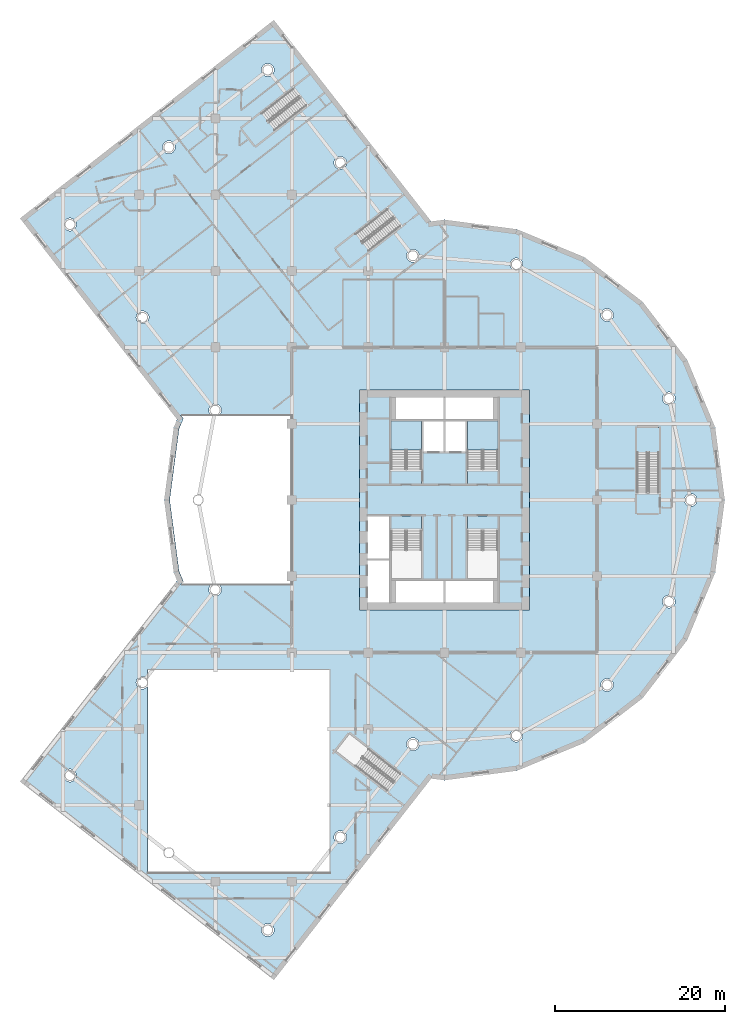
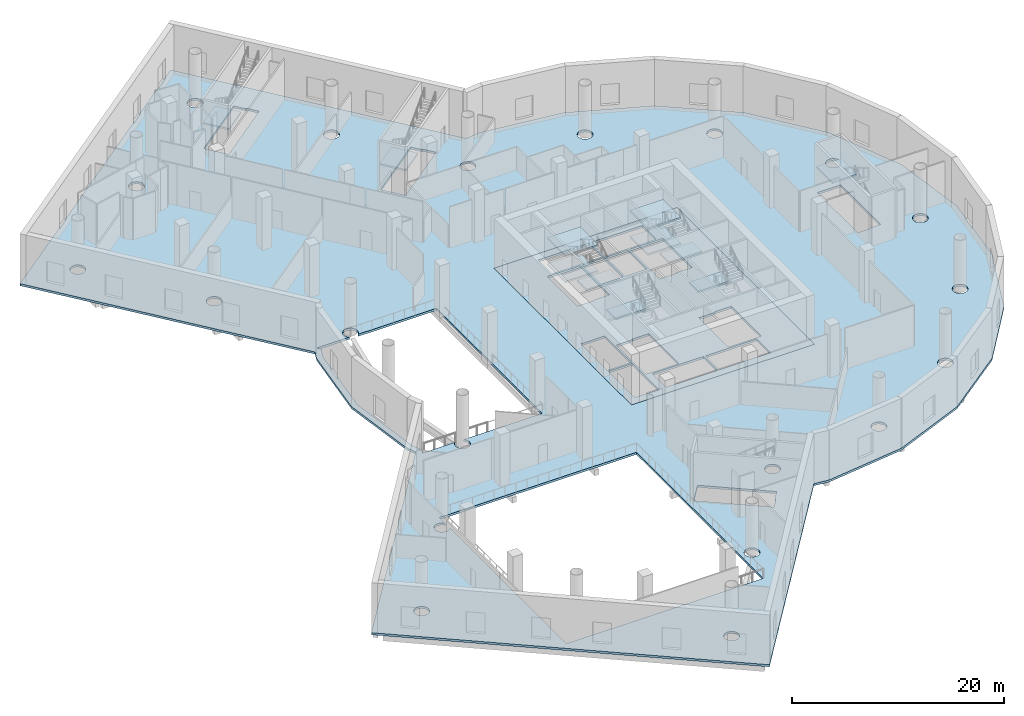
# One storey, part 3 of 24: 13 slabs, 7 elements without a shape of their own.
"""IFC4 building model written with IfcOpenShell, lengths in metres."""

from ifc_helpers import new_model, si_unit, direction, frame, origin, place, context, subcontext, project, spatial, polyline, outline, extrude, material, layer, layer_set, type_object, element, aggregate, save


model = new_model("IFC4")

# Units and contexts
model_context = context("Model", 3, precision=1e-05, world=origin(), true_north=direction((0.0, 1.0)))
body_context = subcontext(model_context, "Body", "Model", "MODEL_VIEW")
ifc_project = project(units=[si_unit("LENGTHUNIT", "METRE"), si_unit("AREAUNIT", "SQUARE_METRE"), si_unit("VOLUMEUNIT", "CUBIC_METRE"), si_unit("PLANEANGLEUNIT", "RADIAN"), si_unit("MASSUNIT", "GRAM", prefix="KILO")], contexts=[model_context])

# Site, building, storey
site_placement = place(None, origin())
site = spatial("IfcSite", under=ifc_project, at=site_placement, CompositionType="ELEMENT")
building_placement = place(site_placement, origin())
building = spatial("IfcBuilding", under=site, at=building_placement, Name="Tarsis Ring Headquarters", CompositionType="ELEMENT")
storey_placement = place(building_placement, frame((0.0, 0.0, 8.0)))
storey = spatial("IfcBuildingStorey", under=building, at=storey_placement, Name="L01", CompositionType="ELEMENT", Elevation=8.0)

# Slab
ifc_material_1 = material(Name="Concrete C40/50", Category="concrete")
ifc_layer_1 = layer(ifc_material_1, 0.25)
ifc_layer_set_1 = layer_set([ifc_layer_1], Name="Core floor slab 250 C40/50")
slab_type_1 = type_object("IfcSlabType", Name="Core floor slab 250 C40/50", PredefinedType="FLOOR", material=ifc_layer_set_1)
slab_1_placement = place(storey_placement, frame((0.0, 0.0, -0.25)))
element("IfcSlab", 1, at=slab_1_placement, inside=storey, type_object=slab_type_1, Name="L01 core floor slab", PredefinedType="FLOOR", context=body_context, shape_type="SweptSolid", body=[
    extrude(outline(polyline([(-10.0, -13.0), (10.0, -13.0), (10.0, 13.0), (-10.0, 13.0), (-10.0, -13.0)]), holes=[polyline([(-2.5, 5.699951171875), (-0.10009765625, 5.699951171875), (-0.10009765625, 9.300048828125), (-2.5, 9.300048828125), (-2.5, 5.699951171875)]), polyline([(0.10009765625, 5.699951171875), (2.5, 5.699951171875), (2.5, 9.300048828125), (0.10009765625, 9.300048828125), (0.10009765625, 5.699951171875)]), polyline([(-9.10009765625, -12.10009765625), (-6.5, -12.10009765625), (-6.5, -7.10009765625), (-9.10009765625, -7.10009765625), (-9.10009765625, -12.10009765625)]), polyline([(-9.10009765625, -6.89990234375), (-6.5, -6.89990234375), (-6.5, -1.89990234375), (-9.10009765625, -1.89990234375), (-9.10009765625, -6.89990234375)]), polyline([(-5.699951171875, 9.5), (-0.10009765625, 9.5), (-0.10009765625, 12.10009765625), (-5.699951171875, 12.10009765625), (-5.699951171875, 9.5)]), polyline([(0.10009765625, 9.5), (5.699951171875, 9.5), (5.699951171875, 12.10009765625), (0.10009765625, 12.10009765625), (0.10009765625, 9.5)]), polyline([(-5.699951171875, -12.10009765625), (-0.10009765625, -12.10009765625), (-0.10009765625, -9.5), (-5.699951171875, -9.5), (-5.699951171875, -12.10009765625)]), polyline([(0.10009765625, -12.10009765625), (5.699951171875, -12.10009765625), (5.699951171875, -9.5), (0.10009765625, -9.5), (0.10009765625, -12.10009765625)]), polyline([(-2.699951171875, 3.760009765625), (-2.699951171875, 9.300048828125), (-6.300048828125, 9.300048828125), (-6.300048828125, 3.659912109375), (-4.4599609375, 3.659912109375), (-4.4599609375, 3.760009765625), (-2.699951171875, 3.760009765625)]), polyline([(6.300048828125, 3.760009765625), (6.300048828125, 9.300048828125), (2.699951171875, 9.300048828125), (2.699951171875, 3.659912109375), (4.5400390625, 3.659912109375), (4.5400390625, 3.760009765625), (6.300048828125, 3.760009765625)]), polyline([(-6.300048828125, -3.760009765625), (-6.300048828125, -9.300048828125), (-2.699951171875, -9.300048828125), (-2.699951171875, -3.659912109375), (-4.5400390625, -3.659912109375), (-4.5400390625, -3.760009765625), (-6.300048828125, -3.760009765625)]), polyline([(2.699951171875, -3.760009765625), (2.699951171875, -9.300048828125), (6.300048828125, -9.300048828125), (6.300048828125, -3.659912109375), (4.4599609375, -3.659912109375), (4.4599609375, -3.760009765625), (2.699951171875, -3.760009765625)])]), origin(), (0.0, 0.0, 1.0), 0.25),
])

# Stair, slabs
ifc_material_2 = material(Name="Core stair 1760")
stair_type_1 = type_object("IfcStairType", Name="Core stair 1760", PredefinedType="HALF_TURN_STAIR", material=ifc_material_2)
stair_1_placement = place(storey_placement, origin())
stair_1 = element("IfcStair", 2, at=stair_1_placement, inside=storey, type_object=stair_type_1, Name="L01 Firefighting stair", PredefinedType="HALF_TURN_STAIR")
ifc_layer_2 = layer(ifc_material_1, 0.199951171875)
ifc_layer_set_2 = layer_set([ifc_layer_2], Name="Core stair landing 200")
slab_type_2 = type_object("IfcSlabType", Name="Core stair landing 200", PredefinedType="LANDING", material=ifc_layer_set_2)
slab_2_placement = place(storey_placement, frame((0.0, 0.0, 1.300048828125)))
slab_2 = element("IfcSlab", 3, at=slab_2_placement, type_object=slab_type_2, Name="Stair ST1 landing 1", PredefinedType="LANDING", context=body_context, shape_type="SweptSolid", body=[
    extrude(outline(polyline([(-2.699951171875, 5.89990234375), (-2.699951171875, 9.300048828125), (-6.300048828125, 9.300048828125), (-6.300048828125, 5.89990234375), (-2.699951171875, 5.89990234375)])), origin(), (0.0, 0.0, 1.0), 0.199951171875),
])
slab_3_placement = place(storey_placement, frame((0.0, 0.0, 2.800048828125)))
slab_3 = element("IfcSlab", 4, at=slab_3_placement, type_object=slab_type_2, Name="Stair ST1 landing 2", PredefinedType="LANDING", context=body_context, shape_type="SweptSolid", body=[
    extrude(outline(polyline([(-2.699951171875, 1.89990234375), (-2.699951171875, 3.659912109375), (-6.300048828125, 3.659912109375), (-6.300048828125, 1.89990234375), (-2.699951171875, 1.89990234375)])), origin(), (0.0, 0.0, 1.0), 0.199951171875),
])
slab_4_placement = place(storey_placement, frame((0.0, 0.0, 4.300048828125)))
slab_4 = element("IfcSlab", 5, at=slab_4_placement, type_object=slab_type_2, Name="Stair ST1 landing 3", PredefinedType="LANDING", context=body_context, shape_type="SweptSolid", body=[
    extrude(outline(polyline([(-2.699951171875, 5.89990234375), (-2.699951171875, 9.300048828125), (-6.300048828125, 9.300048828125), (-6.300048828125, 5.89990234375), (-2.699951171875, 5.89990234375)])), origin(), (0.0, 0.0, 1.0), 0.199951171875),
])
aggregate(stair_1, [slab_2, slab_3, slab_4])

stair_2_placement = place(storey_placement, origin())
stair_2 = element("IfcStair", 6, at=stair_2_placement, inside=storey, type_object=stair_type_1, Name="L01 Exit stair B", PredefinedType="HALF_TURN_STAIR")
slab_5_placement = place(storey_placement, frame((0.0, 0.0, 1.300048828125)))
slab_5 = element("IfcSlab", 7, at=slab_5_placement, type_object=slab_type_2, Name="Stair ST2 landing 1", PredefinedType="LANDING", context=body_context, shape_type="SweptSolid", body=[
    extrude(outline(polyline([(6.300048828125, 5.89990234375), (6.300048828125, 9.300048828125), (2.699951171875, 9.300048828125), (2.699951171875, 5.89990234375), (6.300048828125, 5.89990234375)])), origin(), (0.0, 0.0, 1.0), 0.199951171875),
])
slab_6_placement = place(storey_placement, frame((0.0, 0.0, 2.800048828125)))
slab_6 = element("IfcSlab", 8, at=slab_6_placement, type_object=slab_type_2, Name="Stair ST2 landing 2", PredefinedType="LANDING", context=body_context, shape_type="SweptSolid", body=[
    extrude(outline(polyline([(6.300048828125, 1.89990234375), (6.300048828125, 3.659912109375), (2.699951171875, 3.659912109375), (2.699951171875, 1.89990234375), (6.300048828125, 1.89990234375)])), origin(), (0.0, 0.0, 1.0), 0.199951171875),
])
slab_7_placement = place(storey_placement, frame((0.0, 0.0, 4.300048828125)))
slab_7 = element("IfcSlab", 9, at=slab_7_placement, type_object=slab_type_2, Name="Stair ST2 landing 3", PredefinedType="LANDING", context=body_context, shape_type="SweptSolid", body=[
    extrude(outline(polyline([(6.300048828125, 5.89990234375), (6.300048828125, 9.300048828125), (2.699951171875, 9.300048828125), (2.699951171875, 5.89990234375), (6.300048828125, 5.89990234375)])), origin(), (0.0, 0.0, 1.0), 0.199951171875),
])
aggregate(stair_2, [slab_5, slab_6, slab_7])

# Stair, slab
stair_3_placement = place(storey_placement, origin())
stair_3 = element("IfcStair", 10, at=stair_3_placement, inside=storey, type_object=stair_type_1, Name="L01 Exit stair C", PredefinedType="HALF_TURN_STAIR")
slab_8_placement = place(storey_placement, frame((0.0, 0.0, 2.800048828125)))
slab_8 = element("IfcSlab", 11, at=slab_8_placement, type_object=slab_type_2, Name="Stair ST3 landing 2", PredefinedType="LANDING", context=body_context, shape_type="SweptSolid", body=[
    extrude(outline(polyline([(-6.300048828125, -1.89990234375), (-6.300048828125, -3.659912109375), (-2.699951171875, -3.659912109375), (-2.699951171875, -1.89990234375), (-6.300048828125, -1.89990234375)])), origin(), (0.0, 0.0, 1.0), 0.199951171875),
])
aggregate(stair_3, [slab_8])

stair_4_placement = place(storey_placement, origin())
stair_4 = element("IfcStair", 12, at=stair_4_placement, inside=storey, type_object=stair_type_1, Name="L01 Exit stair D", PredefinedType="HALF_TURN_STAIR")
slab_9_placement = place(storey_placement, frame((0.0, 0.0, 2.800048828125)))
slab_9 = element("IfcSlab", 13, at=slab_9_placement, type_object=slab_type_2, Name="Stair ST4 landing 2", PredefinedType="LANDING", context=body_context, shape_type="SweptSolid", body=[
    extrude(outline(polyline([(2.699951171875, -1.89990234375), (2.699951171875, -3.659912109375), (6.300048828125, -3.659912109375), (6.300048828125, -1.89990234375), (2.699951171875, -1.89990234375)])), origin(), (0.0, 0.0, 1.0), 0.199951171875),
])
aggregate(stair_4, [slab_9])

# Slab
ifc_layer_3 = layer(ifc_material_1, 0.25)
ifc_layer_set_3 = layer_set([ifc_layer_3], Name="PO-S250")
slab_type_3 = type_object("IfcSlabType", Name="PO-S250", PredefinedType="FLOOR", material=ifc_layer_set_3)
slab_10_placement = place(storey_placement, frame((0.0, 0.0, -0.25)))
element("IfcSlab", 14, at=slab_10_placement, inside=storey, type_object=slab_type_3, Name="L01 podium floor slab", PredefinedType="FLOOR", context=body_context, shape_type="SweptSolid", body=[
    extrude(outline(polyline([(-50.06494140625, 33.218994140625), (-31.539794921875, 9.508056640625), (-31.933837890625, 8.556640625), (-33.060302734375, 0.0), (-31.933837890625, -8.556640625), (-31.539794921875, -9.508056640625), (-50.06494140625, -33.218994140625), (-20.12060546875, -56.6142578125), (-1.55810546875, -32.855224609375), (0.0, -33.060302734375), (8.556640625, -31.933837890625), (16.5302734375, -28.631103515625), (23.377197265625, -23.377197265625), (28.631103515625, -16.5302734375), (31.933837890625, -8.556640625), (33.060302734375, 0.0), (31.933837890625, 8.556640625), (28.631103515625, 16.5302734375), (23.377197265625, 23.377197265625), (16.5302734375, 28.631103515625), (8.556640625, 31.933837890625), (0.0, 33.060302734375), (-1.55810546875, 32.855224609375), (-20.12060546875, 56.6142578125), (-50.06494140625, 33.218994140625)]), holes=[polyline([(-20.844482421875, -51.46875), (-21.03857421875, -51.443115234375), (-21.219482421875, -51.3681640625), (-21.374755859375, -51.2490234375), (-21.493896484375, -51.09375), (-21.56884765625, -50.912841796875), (-21.594482421875, -50.71875), (-21.56884765625, -50.524658203125), (-21.493896484375, -50.34375), (-21.374755859375, -50.1884765625), (-21.219482421875, -50.0693359375), (-21.03857421875, -49.994384765625), (-20.844482421875, -49.96875), (-20.650146484375, -49.994384765625), (-20.469482421875, -50.0693359375), (-20.31396484375, -50.1884765625), (-20.19482421875, -50.34375), (-20.119873046875, -50.524658203125), (-20.094482421875, -50.71875), (-20.119873046875, -50.912841796875), (-20.19482421875, -51.09375), (-20.31396484375, -51.2490234375), (-20.469482421875, -51.3681640625), (-20.650146484375, -51.443115234375), (-20.844482421875, -51.46875)]), polyline([(-44.363525390625, -33.2197265625), (-44.54443359375, -33.144775390625), (-44.69970703125, -33.025390625), (-44.819091796875, -32.8701171875), (-44.89404296875, -32.689208984375), (-44.91943359375, -32.4951171875), (-44.89404296875, -32.301025390625), (-44.819091796875, -32.1201171875), (-44.69970703125, -31.96484375), (-44.54443359375, -31.845703125), (-44.363525390625, -31.770751953125), (-44.16943359375, -31.7451171875), (-43.975341796875, -31.770751953125), (-43.79443359375, -31.845703125), (-43.63916015625, -31.96484375), (-43.52001953125, -32.1201171875), (-43.445068359375, -32.301025390625), (-43.41943359375, -32.4951171875), (-43.445068359375, -32.689208984375), (-43.52001953125, -32.8701171875), (-43.63916015625, -33.025390625), (-43.79443359375, -33.144775390625), (-43.975341796875, -33.2197265625), (-44.16943359375, -33.2451171875), (-44.363525390625, -33.2197265625)]), polyline([(-35.2353515625, -22.189697265625), (-35.416259765625, -22.264404296875), (-35.6103515625, -22.2900390625), (-35.804443359375, -22.264404296875), (-35.9853515625, -22.189697265625), (-36.140625, -22.0703125), (-36.260009765625, -21.9150390625), (-36.3349609375, -21.734130859375), (-36.3603515625, -21.5400390625), (-36.3349609375, -21.345947265625), (-36.260009765625, -21.1650390625), (-36.140625, -21.009765625), (-35.9853515625, -20.890625), (-35.804443359375, -20.815673828125), (-35.6103515625, -20.7900390625), (-35.416259765625, -20.815673828125), (-35.2353515625, -20.890625), (-35.080078125, -21.009765625), (-35.0, -21.114013671875), (-35.0, -20.0), (-13.5, -20.0), (-13.5, -44.0), (-35.0, -44.0), (-35.0, -21.966064453125), (-35.080078125, -22.0703125), (-35.2353515625, -22.189697265625)]), polyline([(-27.245361328125, -11.309326171875), (-27.42626953125, -11.234375), (-27.581787109375, -11.115234375), (-27.700927734375, -10.9599609375), (-27.77587890625, -10.779052734375), (-27.80126953125, -10.5849609375), (-27.77587890625, -10.390869140625), (-27.700927734375, -10.2099609375), (-27.581787109375, -10.0546875), (-27.510498046875, -10.0), (-31.099365234375, -10.0), (-30.794189453125, -9.609375), (-31.300537109375, -8.386962890625), (-32.40478515625, 0.0), (-31.300537109375, 8.386962890625), (-30.794189453125, 9.609375), (-31.099365234375, 10.0), (-27.510498046875, 10.0), (-27.581787109375, 10.0546875), (-27.700927734375, 10.2099609375), (-27.77587890625, 10.390869140625), (-27.80126953125, 10.5849609375), (-27.77587890625, 10.779052734375), (-27.700927734375, 10.9599609375), (-27.581787109375, 11.115234375), (-27.42626953125, 11.234375), (-27.245361328125, 11.309326171875), (-27.05126953125, 11.3349609375), (-26.857177734375, 11.309326171875), (-26.67626953125, 11.234375), (-26.52099609375, 11.115234375), (-26.40185546875, 10.9599609375), (-26.326904296875, 10.779052734375), (-26.30126953125, 10.5849609375), (-26.326904296875, 10.390869140625), (-26.40185546875, 10.2099609375), (-26.52099609375, 10.0546875), (-26.59228515625, 10.0), (-26.0, 10.0), (-18.0, 10.0), (-18.0, 2.10009765625), (-18.0, -1.199951171875), (-18.0, -10.0), (-24.0, -10.0), (-26.59228515625, -10.0), (-26.52099609375, -10.0546875), (-26.40185546875, -10.2099609375), (-26.326904296875, -10.390869140625), (-26.30126953125, -10.5849609375), (-26.326904296875, -10.779052734375), (-26.40185546875, -10.9599609375), (-26.52099609375, -11.115234375), (-26.67626953125, -11.234375), (-26.857177734375, -11.309326171875), (-27.05126953125, -11.3349609375), (-27.245361328125, -11.309326171875)]), polyline([(-35.804443359375, 20.815673828125), (-35.9853515625, 20.890625), (-36.140625, 21.009765625), (-36.260009765625, 21.1650390625), (-36.3349609375, 21.345947265625), (-36.3603515625, 21.5400390625), (-36.3349609375, 21.734130859375), (-36.260009765625, 21.9150390625), (-36.140625, 22.0703125), (-35.9853515625, 22.189697265625), (-35.804443359375, 22.264404296875), (-35.6103515625, 22.2900390625), (-35.416259765625, 22.264404296875), (-35.2353515625, 22.189697265625), (-35.080078125, 22.0703125), (-34.9609375, 21.9150390625), (-34.885986328125, 21.734130859375), (-34.8603515625, 21.5400390625), (-34.885986328125, 21.345947265625), (-34.9609375, 21.1650390625), (-35.080078125, 21.009765625), (-35.2353515625, 20.890625), (-35.416259765625, 20.815673828125), (-35.6103515625, 20.7900390625), (-35.804443359375, 20.815673828125)]), polyline([(-44.363525390625, 31.770751953125), (-44.54443359375, 31.845703125), (-44.69970703125, 31.96484375), (-44.819091796875, 32.1201171875), (-44.89404296875, 32.301025390625), (-44.91943359375, 32.4951171875), (-44.89404296875, 32.689208984375), (-44.819091796875, 32.8701171875), (-44.69970703125, 33.025390625), (-44.54443359375, 33.144775390625), (-44.363525390625, 33.2197265625), (-44.16943359375, 33.2451171875), (-43.975341796875, 33.2197265625), (-43.79443359375, 33.144775390625), (-43.63916015625, 33.025390625), (-43.52001953125, 32.8701171875), (-43.445068359375, 32.689208984375), (-43.41943359375, 32.4951171875), (-43.445068359375, 32.301025390625), (-43.52001953125, 32.1201171875), (-43.63916015625, 31.96484375), (-43.79443359375, 31.845703125), (-43.975341796875, 31.770751953125), (-44.16943359375, 31.7451171875), (-44.363525390625, 31.770751953125)]), polyline([(-32.700927734375, 40.882568359375), (-32.8818359375, 40.95751953125), (-33.037353515625, 41.07666015625), (-33.156494140625, 41.23193359375), (-33.2314453125, 41.412841796875), (-33.2568359375, 41.60693359375), (-33.2314453125, 41.801025390625), (-33.156494140625, 41.98193359375), (-33.037353515625, 42.13720703125), (-32.8818359375, 42.256591796875), (-32.700927734375, 42.331298828125), (-32.5068359375, 42.35693359375), (-32.312744140625, 42.331298828125), (-32.1318359375, 42.256591796875), (-31.9765625, 42.13720703125), (-31.857421875, 41.98193359375), (-31.782470703125, 41.801025390625), (-31.7568359375, 41.60693359375), (-31.782470703125, 41.412841796875), (-31.857421875, 41.23193359375), (-31.9765625, 41.07666015625), (-32.1318359375, 40.95751953125), (-32.312744140625, 40.882568359375), (-32.5068359375, 40.85693359375), (-32.700927734375, 40.882568359375)]), polyline([(-17.197509765625, 47.5185546875), (-17.11865234375, 47.580078125), (-16.287841796875, 46.515869140625), (-22.310302734375, 41.81494140625), (-23.87939453125, 43.824951171875), (-17.935791015625, 48.464599609375), (-17.197509765625, 47.5185546875)]), polyline([(-21.03857421875, 49.994384765625), (-21.219482421875, 50.0693359375), (-21.374755859375, 50.1884765625), (-21.493896484375, 50.34375), (-21.56884765625, 50.524658203125), (-21.594482421875, 50.71875), (-21.56884765625, 50.912841796875), (-21.493896484375, 51.09375), (-21.374755859375, 51.2490234375), (-21.219482421875, 51.3681640625), (-21.03857421875, 51.443115234375), (-20.844482421875, 51.46875), (-20.650146484375, 51.443115234375), (-20.469482421875, 51.3681640625), (-20.31396484375, 51.2490234375), (-20.19482421875, 51.09375), (-20.119873046875, 50.912841796875), (-20.094482421875, 50.71875), (-20.119873046875, 50.524658203125), (-20.19482421875, 50.34375), (-20.31396484375, 50.1884765625), (-20.469482421875, 50.0693359375), (-20.650146484375, 49.994384765625), (-20.844482421875, 49.96875), (-21.03857421875, 49.994384765625)]), polyline([(-12.285400390625, -40.513671875), (-12.4794921875, -40.488037109375), (-12.660400390625, -40.4130859375), (-12.815673828125, -40.2939453125), (-12.934814453125, -40.138671875), (-13.009765625, -39.957763671875), (-13.035400390625, -39.763671875), (-13.009765625, -39.569580078125), (-12.934814453125, -39.388671875), (-12.815673828125, -39.2333984375), (-12.660400390625, -39.114013671875), (-12.4794921875, -39.039306640625), (-12.285400390625, -39.013671875), (-12.091064453125, -39.039306640625), (-11.910400390625, -39.114013671875), (-11.7548828125, -39.2333984375), (-11.6357421875, -39.388671875), (-11.560791015625, -39.569580078125), (-11.535400390625, -39.763671875), (-11.560791015625, -39.957763671875), (-11.6357421875, -40.138671875), (-11.7548828125, -40.2939453125), (-11.910400390625, -40.4130859375), (-12.091064453125, -40.488037109375), (-12.285400390625, -40.513671875)]), polyline([(-6.005126953125, -33.180419921875), (-5.92626953125, -33.241943359375), (-6.757080078125, -34.305908203125), (-12.779541015625, -29.60498046875), (-11.21044921875, -27.594970703125), (-5.266845703125, -32.234375), (-6.005126953125, -33.180419921875)]), polyline([(-3.92041015625, -29.532958984375), (-4.101318359375, -29.4580078125), (-4.256591796875, -29.3388671875), (-4.375732421875, -29.18359375), (-4.45068359375, -29.002685546875), (-4.476318359375, -28.80859375), (-4.45068359375, -28.614501953125), (-4.375732421875, -28.43359375), (-4.256591796875, -28.2783203125), (-4.101318359375, -28.158935546875), (-3.92041015625, -28.083984375), (-3.726318359375, -28.05859375), (-3.5322265625, -28.083984375), (-3.351318359375, -28.158935546875), (-3.19580078125, -28.2783203125), (-3.07666015625, -28.43359375), (-3.001708984375, -28.614501953125), (-2.976318359375, -28.80859375), (-3.001708984375, -29.002685546875), (-3.07666015625, -29.18359375), (-3.19580078125, -29.3388671875), (-3.351318359375, -29.4580078125), (-3.5322265625, -29.532958984375), (-3.726318359375, -29.55859375), (-3.92041015625, -29.532958984375)]), polyline([(8.28564453125, -28.5078125), (8.104736328125, -28.432861328125), (7.94921875, -28.313720703125), (7.830078125, -28.158203125), (7.755126953125, -27.977294921875), (7.729736328125, -27.783203125), (7.755126953125, -27.589111328125), (7.830078125, -27.408203125), (7.94921875, -27.2529296875), (8.104736328125, -27.1337890625), (8.28564453125, -27.058837890625), (8.479736328125, -27.033203125), (8.673828125, -27.058837890625), (8.854736328125, -27.1337890625), (9.010009765625, -27.2529296875), (9.129150390625, -27.408203125), (9.2041015625, -27.589111328125), (9.229736328125, -27.783203125), (9.2041015625, -27.977294921875), (9.129150390625, -28.158203125), (9.010009765625, -28.313720703125), (8.854736328125, -28.432861328125), (8.673828125, -28.5078125), (8.479736328125, -28.533203125), (8.28564453125, -28.5078125)]), polyline([(18.983642578125, -22.54248046875), (18.802734375, -22.467529296875), (18.6474609375, -22.348388671875), (18.5283203125, -22.193115234375), (18.453369140625, -22.01220703125), (18.427734375, -21.818115234375), (18.453369140625, -21.6240234375), (18.5283203125, -21.443115234375), (18.6474609375, -21.287841796875), (18.802734375, -21.16845703125), (18.983642578125, -21.09375), (19.177734375, -21.068115234375), (19.371826171875, -21.09375), (19.552734375, -21.16845703125), (19.7080078125, -21.287841796875), (19.827392578125, -21.443115234375), (19.90234375, -21.6240234375), (19.927734375, -21.818115234375), (19.90234375, -22.01220703125), (19.827392578125, -22.193115234375), (19.7080078125, -22.348388671875), (19.552734375, -22.467529296875), (19.371826171875, -22.54248046875), (19.177734375, -22.568115234375), (18.983642578125, -22.54248046875)]), polyline([(26.27197265625, -12.697998046875), (26.091064453125, -12.623046875), (25.935791015625, -12.50390625), (25.81640625, -12.3486328125), (25.74169921875, -12.167724609375), (25.716064453125, -11.9736328125), (25.74169921875, -11.779296875), (25.81640625, -11.5986328125), (25.935791015625, -11.443115234375), (26.091064453125, -11.323974609375), (26.27197265625, -11.2490234375), (26.466064453125, -11.2236328125), (26.66015625, -11.2490234375), (26.841064453125, -11.323974609375), (26.996337890625, -11.443115234375), (27.115478515625, -11.5986328125), (27.1904296875, -11.779296875), (27.216064453125, -11.9736328125), (27.1904296875, -12.167724609375), (27.115478515625, -12.3486328125), (26.996337890625, -12.50390625), (26.841064453125, -12.623046875), (26.66015625, -12.697998046875), (26.466064453125, -12.7236328125), (26.27197265625, -12.697998046875)]), polyline([(28.8544921875, -0.724365234375), (28.673583984375, -0.6494140625), (28.51806640625, -0.5302734375), (28.39892578125, -0.375), (28.323974609375, -0.194091796875), (28.298583984375, 0.0), (28.323974609375, 0.194091796875), (28.39892578125, 0.375), (28.51806640625, 0.5302734375), (28.673583984375, 0.6494140625), (28.8544921875, 0.724365234375), (29.048583984375, 0.75), (29.24267578125, 0.724365234375), (29.423583984375, 0.6494140625), (29.578857421875, 0.5302734375), (29.697998046875, 0.375), (29.77294921875, 0.194091796875), (29.798583984375, 0.0), (29.77294921875, -0.194091796875), (29.697998046875, -0.375), (29.578857421875, -0.5302734375), (29.423583984375, -0.6494140625), (29.24267578125, -0.724365234375), (29.048583984375, -0.75), (28.8544921875, -0.724365234375)]), polyline([(25.27490234375, 0.97998046875), (24.074951171875, 0.97998046875), (24.074951171875, 0.8798828125), (22.72509765625, 0.8798828125), (22.72509765625, 8.52001953125), (25.27490234375, 8.52001953125), (25.27490234375, 0.97998046875)]), polyline([(26.27197265625, 11.2490234375), (26.091064453125, 11.323974609375), (25.935791015625, 11.443115234375), (25.81640625, 11.5986328125), (25.74169921875, 11.779296875), (25.716064453125, 11.9736328125), (25.74169921875, 12.167724609375), (25.81640625, 12.3486328125), (25.935791015625, 12.50390625), (26.091064453125, 12.623046875), (26.27197265625, 12.697998046875), (26.466064453125, 12.7236328125), (26.66015625, 12.697998046875), (26.841064453125, 12.623046875), (26.996337890625, 12.50390625), (27.115478515625, 12.3486328125), (27.1904296875, 12.167724609375), (27.216064453125, 11.9736328125), (27.1904296875, 11.779296875), (27.115478515625, 11.5986328125), (26.996337890625, 11.443115234375), (26.841064453125, 11.323974609375), (26.66015625, 11.2490234375), (26.466064453125, 11.2236328125), (26.27197265625, 11.2490234375)]), polyline([(18.983642578125, 21.09375), (18.802734375, 21.16845703125), (18.6474609375, 21.287841796875), (18.5283203125, 21.443115234375), (18.453369140625, 21.6240234375), (18.427734375, 21.818115234375), (18.453369140625, 22.01220703125), (18.5283203125, 22.193115234375), (18.6474609375, 22.348388671875), (18.802734375, 22.467529296875), (18.983642578125, 22.54248046875), (19.177734375, 22.568115234375), (19.371826171875, 22.54248046875), (19.552734375, 22.467529296875), (19.7080078125, 22.348388671875), (19.827392578125, 22.193115234375), (19.90234375, 22.01220703125), (19.927734375, 21.818115234375), (19.90234375, 21.6240234375), (19.827392578125, 21.443115234375), (19.7080078125, 21.287841796875), (19.552734375, 21.16845703125), (19.371826171875, 21.09375), (19.177734375, 21.068115234375), (18.983642578125, 21.09375)]), polyline([(8.28564453125, 27.058837890625), (8.104736328125, 27.1337890625), (7.94921875, 27.2529296875), (7.830078125, 27.408203125), (7.755126953125, 27.589111328125), (7.729736328125, 27.783203125), (7.755126953125, 27.977294921875), (7.830078125, 28.158203125), (7.94921875, 28.313720703125), (8.104736328125, 28.432861328125), (8.28564453125, 28.5078125), (8.479736328125, 28.533203125), (8.673828125, 28.5078125), (8.854736328125, 28.432861328125), (9.010009765625, 28.313720703125), (9.129150390625, 28.158203125), (9.2041015625, 27.977294921875), (9.229736328125, 27.783203125), (9.2041015625, 27.589111328125), (9.129150390625, 27.408203125), (9.010009765625, 27.2529296875), (8.854736328125, 27.1337890625), (8.673828125, 27.058837890625), (8.479736328125, 27.033203125), (8.28564453125, 27.058837890625)]), polyline([(-3.92041015625, 28.083984375), (-4.101318359375, 28.158935546875), (-4.256591796875, 28.2783203125), (-4.375732421875, 28.43359375), (-4.45068359375, 28.614501953125), (-4.476318359375, 28.80859375), (-4.45068359375, 29.002685546875), (-4.375732421875, 29.18359375), (-4.256591796875, 29.3388671875), (-4.101318359375, 29.4580078125), (-3.92041015625, 29.532958984375), (-3.726318359375, 29.55859375), (-3.5322265625, 29.532958984375), (-3.351318359375, 29.4580078125), (-3.19580078125, 29.3388671875), (-3.07666015625, 29.18359375), (-3.001708984375, 29.002685546875), (-2.976318359375, 28.80859375), (-3.001708984375, 28.614501953125), (-3.07666015625, 28.43359375), (-3.19580078125, 28.2783203125), (-3.351318359375, 28.158935546875), (-3.5322265625, 28.083984375), (-3.726318359375, 28.05859375), (-3.92041015625, 28.083984375)]), polyline([(-6.097412109375, 33.298583984375), (-6.0185546875, 33.360107421875), (-5.18798828125, 32.2958984375), (-11.21044921875, 27.594970703125), (-12.779541015625, 29.60498046875), (-6.8359375, 34.244384765625), (-6.097412109375, 33.298583984375)]), polyline([(-12.4794921875, 39.039306640625), (-12.660400390625, 39.114013671875), (-12.815673828125, 39.2333984375), (-12.934814453125, 39.388671875), (-13.009765625, 39.569580078125), (-13.035400390625, 39.763671875), (-13.009765625, 39.957763671875), (-12.934814453125, 40.138671875), (-12.815673828125, 40.2939453125), (-12.660400390625, 40.4130859375), (-12.4794921875, 40.488037109375), (-12.285400390625, 40.513671875), (-12.091064453125, 40.488037109375), (-11.910400390625, 40.4130859375), (-11.7548828125, 40.2939453125), (-11.6357421875, 40.138671875), (-11.560791015625, 39.957763671875), (-11.535400390625, 39.763671875), (-11.560791015625, 39.569580078125), (-11.6357421875, 39.388671875), (-11.7548828125, 39.2333984375), (-11.910400390625, 39.114013671875), (-12.091064453125, 39.039306640625), (-12.285400390625, 39.013671875), (-12.4794921875, 39.039306640625)]), polyline([(10.0, -13.0), (10.0, 13.0), (-10.0, 13.0), (-10.0, -13.0), (10.0, -13.0)])]), origin(), (0.0, 0.0, 1.0), 0.25),
])

# Stair, slab
stair_type_2 = type_object("IfcStairType", Name="PO-ST", PredefinedType="HALF_TURN_STAIR", material=ifc_material_1)
stair_5_placement = place(storey_placement, origin())
stair_5 = element("IfcStair", 15, at=stair_5_placement, inside=storey, type_object=stair_type_2, Name="L01 Podium stair", PredefinedType="HALF_TURN_STAIR")
ifc_layer_4 = layer(ifc_material_1, 0.199951171875)
ifc_layer_set_4 = layer_set([ifc_layer_4], Name="PO-STL")
slab_type_4 = type_object("IfcSlabType", Name="PO-STL", PredefinedType="LANDING", material=ifc_layer_set_4)
slab_11_placement = place(storey_placement, frame((0.0, 0.0, 2.800048828125)))
slab_11 = element("IfcSlab", 16, at=slab_11_placement, type_object=slab_type_4, Name="Stair PS1 landing 1", PredefinedType="LANDING", context=body_context, shape_type="SweptSolid", body=[
    extrude(outline(polyline([(25.3349609375, 5.580078125), (25.3349609375, 8.580078125), (22.6650390625, 8.580078125), (22.6650390625, 5.580078125), (25.3349609375, 5.580078125)])), origin(), (0.0, 0.0, 1.0), 0.199951171875),
])
aggregate(stair_5, [slab_11])

stair_6_placement = place(storey_placement, origin())
stair_6 = element("IfcStair", 17, at=stair_6_placement, inside=storey, type_object=stair_type_2, Name="L01 Podium stair", PredefinedType="HALF_TURN_STAIR")
slab_12_placement = place(storey_placement, frame((0.0, 0.0, 2.800048828125)))
slab_12 = element("IfcSlab", 18, at=slab_12_placement, type_object=slab_type_4, Name="Stair PS3 landing 1", PredefinedType="LANDING", context=body_context, shape_type="SweptSolid", body=[
    extrude(outline(polyline([(-10.498779296875, 31.46142578125), (-12.86376953125, 29.615234375), (-11.220703125, 27.5107421875), (-8.85595703125, 29.356689453125), (-10.498779296875, 31.46142578125)])), origin(), (0.0, 0.0, 1.0), 0.199951171875),
])
aggregate(stair_6, [slab_12])

stair_7_placement = place(storey_placement, origin())
stair_7 = element("IfcStair", 19, at=stair_7_placement, inside=storey, type_object=stair_type_2, Name="L01 Podium stair", PredefinedType="HALF_TURN_STAIR")
slab_13_placement = place(storey_placement, frame((0.0, 0.0, 2.800048828125)))
slab_13 = element("IfcSlab", 20, at=slab_13_placement, type_object=slab_type_4, Name="Stair PS4 landing 1", PredefinedType="LANDING", context=body_context, shape_type="SweptSolid", body=[
    extrude(outline(polyline([(-21.598876953125, 45.681396484375), (-23.963623046875, 43.83544921875), (-22.32080078125, 41.730712890625), (-19.955810546875, 43.57666015625), (-21.598876953125, 45.681396484375)])), origin(), (0.0, 0.0, 1.0), 0.199951171875),
])
aggregate(stair_7, [slab_13])

save(model, "model.ifc")
